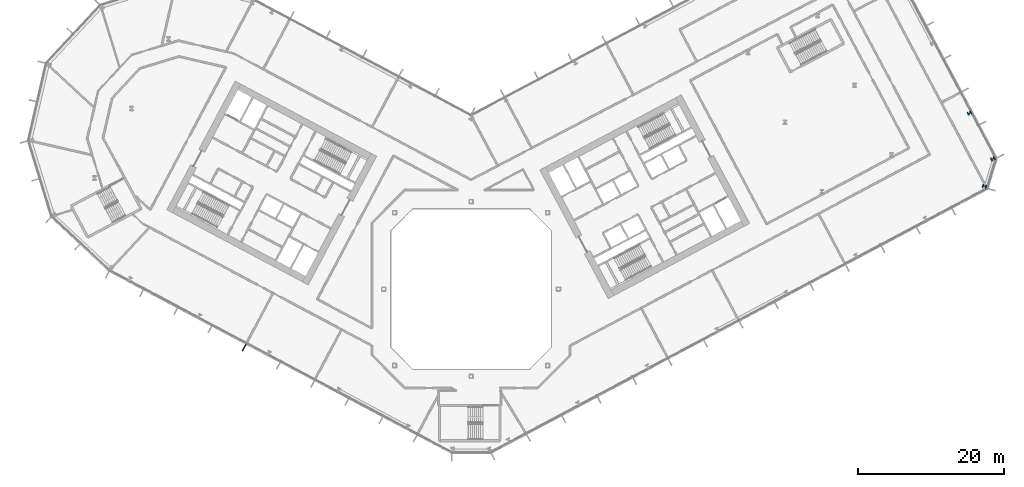
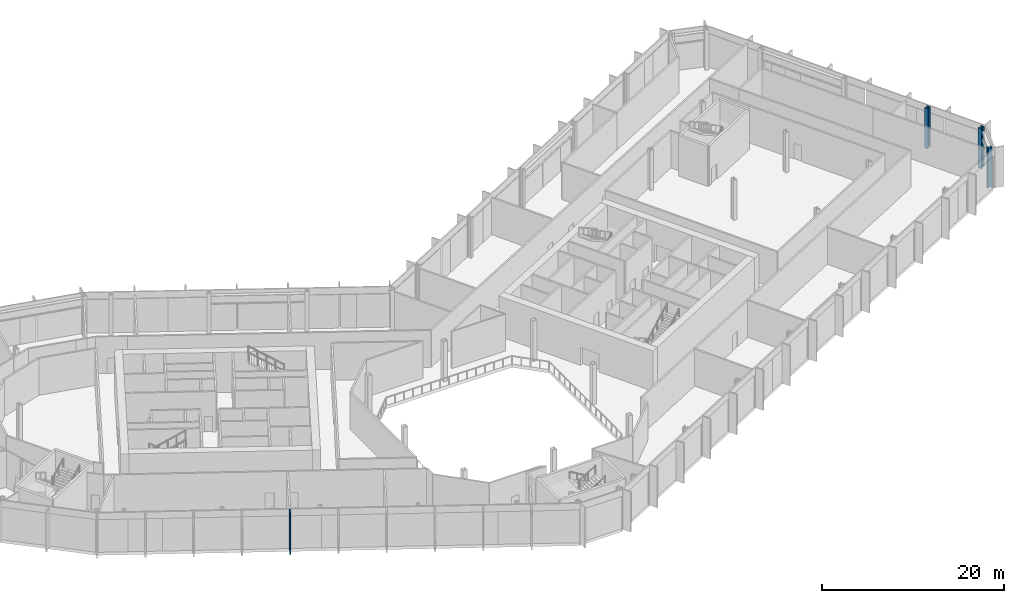
# One storey, part 5 of 31: 3 columns, 1 member, 1 element without a shape of its own.
"""IFC4 building model written with IfcOpenShell, lengths in metres."""

import ifcopenshell
import ifcopenshell.guid

model = None  # the IFC model being written
_history = None  # IfcOwnerHistory: only IFC2X3 demands one
_inside = {}  # id of a spatial element -> (the spatial element, [elements in it])
_under = {}  # id of a project, library or spatial element -> (it, [spatial elements below it])
_declared = {}  # id of a project -> (the project, [libraries it declares])
_typed = {}  # id of a type object -> (the type object, [elements of that type])
_made_of = {}  # id of a material, layer set ... -> (it, [elements and type objects made of it])


def new_model(schema):
    """Start an empty IFC model of exactly this schema.

    Asked for "IFC4X3", IfcOpenShell would pick the latest addendum, in which some entities
    have other attributes; the version numbers below select the first issue.
    IFC2X3 requires an IfcOwnerHistory on every rooted entity: one is made here for all.
    """
    global model, _history
    if schema == "IFC4X3":
        model = ifcopenshell.file(schema_version=(4, 3, 0, 0))
    else:
        model = ifcopenshell.file(schema=schema)
    _inside.clear()
    _under.clear()
    _declared.clear()
    _typed.clear()
    _made_of.clear()
    _history = None
    if model.schema == "IFC2X3":
        org = make("IfcOrganization", Name="unknown")
        user = make(
            "IfcPersonAndOrganization",
            ThePerson=make("IfcPerson", FamilyName="unknown"),
            TheOrganization=org,
        )
        app = make(
            "IfcApplication",
            ApplicationDeveloper=org,
            Version="unknown",
            ApplicationFullName="unknown",
            ApplicationIdentifier="unknown",
        )
        _history = make(
            "IfcOwnerHistory",
            OwningUser=user,
            OwningApplication=app,
            ChangeAction="ADDED",
            CreationDate=0,
        )
    return model


def make(cls, **values):
    """One entity of the class cls with the attributes given. An attribute that is None is left unset."""
    return model.create_entity(
        cls, **{name: value for name, value in values.items() if value is not None}
    )


def rooted(cls, **values):
    """An entity with a GlobalId (a new one), such as an element, a storey or a relation."""
    return make(cls, GlobalId=ifcopenshell.guid.new(), OwnerHistory=_history, **values)


def si_unit(unit_type, name, prefix=None):
    """IfcSIUnit, for example si_unit("LENGTHUNIT", "METRE", prefix="MILLI")."""
    return make("IfcSIUnit", UnitType=unit_type, Prefix=prefix, Name=name)


def assignment(units):
    """IfcUnitAssignment: the units of a project."""
    return None if units is None else make("IfcUnitAssignment", Units=units)


def point(xyz):
    """IfcCartesianPoint."""
    return None if xyz is None else make("IfcCartesianPoint", Coordinates=xyz)


def direction(xyz):
    """IfcDirection."""
    return None if xyz is None else make("IfcDirection", DirectionRatios=xyz)


def frame(location, z_axis=None, x_axis=None):
    """IfcAxis2Placement3D, a coordinate frame: its origin and axes. An axis left out is left unset."""
    return make(
        "IfcAxis2Placement3D",
        Location=point(location),
        Axis=direction(z_axis),
        RefDirection=direction(x_axis),
    )


def frame_2d(location, x_axis=None):
    """IfcAxis2Placement2D, a coordinate frame in the plane: its origin and x axis."""
    return make(
        "IfcAxis2Placement2D", Location=point(location), RefDirection=direction(x_axis)
    )


def origin():
    """The frame at (0, 0, 0) with its axes left unset."""
    return frame((0.0, 0.0, 0.0))


def origin_2d():
    """The frame at (0, 0) in the plane with its x axis left unset."""
    return frame_2d((0.0, 0.0))


def place(relative_to, where):
    """IfcLocalPlacement: puts the frame where relative to a parent placement (None: the world)."""
    return make(
        "IfcLocalPlacement", PlacementRelTo=relative_to, RelativePlacement=where
    )


def context(
    kind, dimensions, precision=None, world=None, true_north=None, identifier=None
):
    """IfcGeometricRepresentationContext, for example the 3D "Model" context."""
    return make(
        "IfcGeometricRepresentationContext",
        ContextIdentifier=identifier,
        ContextType=kind,
        CoordinateSpaceDimension=dimensions,
        Precision=precision,
        WorldCoordinateSystem=world,
        TrueNorth=true_north,
    )


def subcontext(parent, identifier, kind, view, scale=None):
    """IfcGeometricRepresentationSubContext, for example "Body" below "Model"."""
    return make(
        "IfcGeometricRepresentationSubContext",
        ContextIdentifier=identifier,
        ContextType=kind,
        ParentContext=parent,
        TargetScale=scale,
        TargetView=view,
    )


def project(units=None, contexts=None):
    """IfcProject with its units and contexts."""
    return rooted(
        "IfcProject",
        Name="project",
        RepresentationContexts=contexts,
        UnitsInContext=assignment(units),
    )


def spatial(cls, under=None, at=None, **own):
    """A site, building, storey or space (cls), placed at a placement, below another one or the project."""
    s = rooted(cls, ObjectPlacement=at, **own)
    if under is not None:
        _under.setdefault(under.id(), (under, []))[1].append(s)
    return s


def profile(cls, at=None, kind="AREA", **sizes):
    """A parametric profile (cls). Its sizes go by their IFC names, for example OverallWidth=200.0."""
    return make(cls, ProfileType=kind, Position=at, **sizes)


def rectangle(**sizes):
    """IfcRectangleProfileDef."""
    return profile("IfcRectangleProfileDef", **sizes)


def i_section(**sizes):
    """IfcIShapeProfileDef."""
    return profile("IfcIShapeProfileDef", **sizes)


def extrude(swept, where, along, depth):
    """IfcExtrudedAreaSolid: the profile swept, set in the frame where, extruded along a direction by depth."""
    return make(
        "IfcExtrudedAreaSolid",
        SweptArea=swept,
        Position=where,
        ExtrudedDirection=direction(along),
        Depth=depth,
    )


def shape(context_of_items, identifier, shape_type, items):
    """IfcShapeRepresentation: the items that make up one representation, for example the "Body"."""
    return make(
        "IfcShapeRepresentation",
        ContextOfItems=context_of_items,
        RepresentationIdentifier=identifier,
        RepresentationType=shape_type,
        Items=items,
    )


def material(Name=None, Category=None):
    """IfcMaterial."""
    return make("IfcMaterial", Name=Name, Category=Category)


def layer(
    of_material, thickness, ventilated=None, Name=None, Category=None, Priority=None
):
    """IfcMaterialLayer: one layer of a wall or slab, of a material (None: an air gap)."""
    return make(
        "IfcMaterialLayer",
        Material=of_material,
        LayerThickness=thickness,
        IsVentilated=ventilated,
        Name=Name,
        Category=Category,
        Priority=Priority,
    )


def layer_set(layers, Name=None):
    """IfcMaterialLayerSet."""
    return make("IfcMaterialLayerSet", MaterialLayers=layers, LayerSetName=Name)


def material_profile(
    of_material, cross_section, Name=None, Category=None, Priority=None
):
    """IfcMaterialProfile: a cross section and its material."""
    return make(
        "IfcMaterialProfile",
        Name=Name,
        Material=of_material,
        Profile=cross_section,
        Priority=Priority,
        Category=Category,
    )


def profile_set(profiles, Name=None, composite=None):
    """IfcMaterialProfileSet."""
    return make(
        "IfcMaterialProfileSet",
        Name=Name,
        MaterialProfiles=profiles,
        CompositeProfile=composite,
    )


def made_of(thing, what):
    """Note that an element or type object is made of a material, layer set ...; save() writes the relation."""
    if what is not None:
        _made_of.setdefault(what.id(), (what, []))[1].append(thing)
    return thing


def type_object(cls, material=None, **own):
    """A type object (cls), such as IfcWallType, which elements share."""
    return made_of(rooted(cls, **own), material)


def element(
    cls,
    number,
    at=None,
    inside=None,
    cuts=None,
    type_object=None,
    material=None,
    context=None,
    identifier="Body",
    shape_type=None,
    held_by="IfcProductDefinitionShape",
    body=None,
    shapes=None,
    **own,
):
    """One element of the class cls, such as IfcWall. Its Tag is "e" and its number.

    at: its placement. inside: the storey or other place that contains it. cuts: it is an
    opening in that element (IfcRelVoidsElement). A single representation is given by context,
    identifier, shape_type and body (its items); several are given by shapes. held_by: the class
    of the entity that holds the representations. save() writes the other relations.
    """
    e = rooted(cls, Tag="e%d" % number, ObjectPlacement=at, **own)
    if body is not None:
        shapes = [shape(context, identifier, shape_type, body)]
    if shapes is not None:
        e.Representation = make(held_by, Representations=shapes)
    if inside is not None:
        _inside.setdefault(inside.id(), (inside, []))[1].append(e)
    if cuts is not None:
        rooted(
            "IfcRelVoidsElement", RelatingBuildingElement=cuts, RelatedOpeningElement=e
        )
    if type_object is not None:
        _typed.setdefault(type_object.id(), (type_object, []))[1].append(e)
    return made_of(e, material)


def aggregate(whole, parts):
    """IfcRelAggregates: a whole, such as a stair, and the parts it consists of."""
    return rooted("IfcRelAggregates", RelatingObject=whole, RelatedObjects=parts)


def save(model, path):
    """Write the relations noted so far, then the file.

    IfcRelAggregates (storeys below a building ...), IfcRelContainedInSpatialStructure (elements
    in a storey), IfcRelDefinesByType, IfcRelAssociatesMaterial and IfcRelDeclares: one each for
    every whole, place, type object, material and project.
    """
    for whole, parts in _under.values():
        aggregate(whole, parts)
    for where, things in _inside.values():
        rooted(
            "IfcRelContainedInSpatialStructure",
            RelatedElements=things,
            RelatingStructure=where,
        )
    for kind, things in _typed.values():
        rooted("IfcRelDefinesByType", RelatedObjects=things, RelatingType=kind)
    for what, things in _made_of.values():
        rooted("IfcRelAssociatesMaterial", RelatedObjects=things, RelatingMaterial=what)
    for by, libraries in _declared.values():
        rooted("IfcRelDeclares", RelatingContext=by, RelatedDefinitions=libraries)
    model.write(path)


model = new_model("IFC4")

# Units and contexts
model_context = context("Model", 3, precision=1e-05, world=origin(), true_north=direction((0.0, 1.0)))
body_context = subcontext(model_context, "Body", "Model", "MODEL_VIEW")
ifc_project = project(units=[si_unit("LENGTHUNIT", "METRE"), si_unit("AREAUNIT", "SQUARE_METRE"), si_unit("VOLUMEUNIT", "CUBIC_METRE"), si_unit("PLANEANGLEUNIT", "RADIAN"), si_unit("MASSUNIT", "GRAM", prefix="KILO")], contexts=[model_context])

# Site, building, storey
site_placement = place(None, origin())
site = spatial("IfcSite", under=ifc_project, at=site_placement, CompositionType="ELEMENT")
building_placement = place(site_placement, origin())
building = spatial("IfcBuilding", under=site, at=building_placement, Name="Cormorant Relay Tower", CompositionType="ELEMENT")
storey_placement = place(building_placement, frame((0.0, 0.0, 23.0)))
storey = spatial("IfcBuildingStorey", under=building, at=storey_placement, Name="L04", CompositionType="ELEMENT", Elevation=23.0)

# Columns
ifc_material_1 = material(Name="Steel ASTM A992 (Fy 345 MPa)", Category="steel")
ifc_material_profile_1 = material_profile(ifc_material_1, i_section(OverallWidth=0.45458984375, OverallDepth=0.569091796875, WebThickness=0.077880859375, FlangeThickness=0.124755859375, FilletRadius=0.015380859375, at=origin_2d()), Name="W360x1086")
ifc_profile_set_1 = profile_set([ifc_material_profile_1], Name="Steel ASTM A992 (Fy 345 MPa)")
column_type_1 = type_object("IfcColumnType", Name="Column W360x1086", PredefinedType="COLUMN", material=ifc_profile_set_1)
for number, where, z_axis, x_axis, name in (
    (1, (70.47412109375, 14.10595703125, 0.0), (0.0, 0.0, 1.0), (0.292371704723, 0.956304755963, 0.0), "Column L04-026"),
    (2, (71.625, 17.87109375, 0.0), (0.0, 0.0, 1.0), (-0.469471562786, 0.882947592859, 0.0), "Column L04-028"),
):
    element("IfcColumn", number, at=place(storey_placement, frame(where, z_axis=z_axis, x_axis=x_axis)), inside=storey, type_object=column_type_1, Name=name, PredefinedType="COLUMN", context=body_context, shape_type="SweptSolid", body=[
        extrude(i_section(OverallWidth=0.45458984375, OverallDepth=0.569091796875, WebThickness=0.077880859375, FlangeThickness=0.124755859375, FilletRadius=0.015380859375, at=origin_2d()), origin(), (0.0, 0.0, 1.0), 5.39990234375),
    ])
ifc_material_2 = material(Name="Steel ASTM A992 (Fy 345 MPa)", Category="steel")
ifc_material_profile_2 = material_profile(ifc_material_2, i_section(OverallWidth=0.43701171875, OverallDepth=0.51318359375, WebThickness=0.060546875, FlangeThickness=0.096923828125, FilletRadius=0.015380859375, at=origin_2d()), Name="W360x818")
ifc_profile_set_2 = profile_set([ifc_material_profile_2], Name="Steel ASTM A992 (Fy 345 MPa)")
column_type_2 = type_object("IfcColumnType", Name="Column W360x818", PredefinedType="COLUMN", material=ifc_profile_set_2)
column_placement = place(storey_placement, frame((68.4130859375, 24.14404296875, 0.0), z_axis=(0.0, 0.0, 1.0), x_axis=(-0.469471562786, 0.882947592859, 0.0)))
element("IfcColumn", 3, at=column_placement, inside=storey, type_object=column_type_2, Name="Column L04-033", PredefinedType="COLUMN", context=body_context, shape_type="SweptSolid", body=[
    extrude(i_section(OverallWidth=0.43701171875, OverallDepth=0.51318359375, WebThickness=0.060546875, FlangeThickness=0.096923828125, FilletRadius=0.015380859375, at=origin_2d()), origin(), (0.0, 0.0, 1.0), 5.39990234375),
])

# Curtain wall, member
ifc_material_3 = material(Name="Aluminium 6063-T6 anodised bronze", Category="aluminium")
ifc_layer = layer(ifc_material_3, 0.235107421875)
ifc_layer_set = layer_set([ifc_layer], Name="CW6 data hall curtain wall with mineral wool panels")
curtain_wall_type = type_object("IfcCurtainWallType", Name="CW6 data hall curtain wall with mineral wool panels", PredefinedType="NOTDEFINED", material=ifc_layer_set)
curtain_wall_placement = place(storey_placement, origin())
curtain_wall = element("IfcCurtainWall", 4, at=curtain_wall_placement, inside=storey, type_object=curtain_wall_type, Name="CW6 curtain wall 14", PredefinedType="NOTDEFINED")
ifc_material_4 = material(Name="Aluminium 6063-T6 anodised bronze", Category="aluminium")
ifc_material_profile_3 = material_profile(ifc_material_4, rectangle(XDim=0.14990234375, YDim=1.0, at=origin_2d()), Name="AL 150x1000")
ifc_profile_set_3 = profile_set([ifc_material_profile_3], Name="Aluminium 6063-T6 anodised bronze")
member_type = type_object("IfcMemberType", Name="CW6 bronze fin mullion 150 x 1000", PredefinedType="MULLION", material=ifc_profile_set_3)
member_placement = place(storey_placement, frame((-31.159423828125, -8.048583984375, 0.0), z_axis=(0.0, 0.0, 1.0), x_axis=(0.882947592859, -0.469471562786, 0.0)))
member = element("IfcMember", 5, at=member_placement, type_object=member_type, Name="CW6 fin 14.5", PredefinedType="MULLION", context=body_context, shape_type="SweptSolid", body=[
    extrude(rectangle(XDim=0.14990234375, YDim=1.0, at=origin_2d()), origin(), (0.0, 0.0, 1.0), 5.39990234375),
])
aggregate(curtain_wall, [member])

save(model, "model.ifc")
